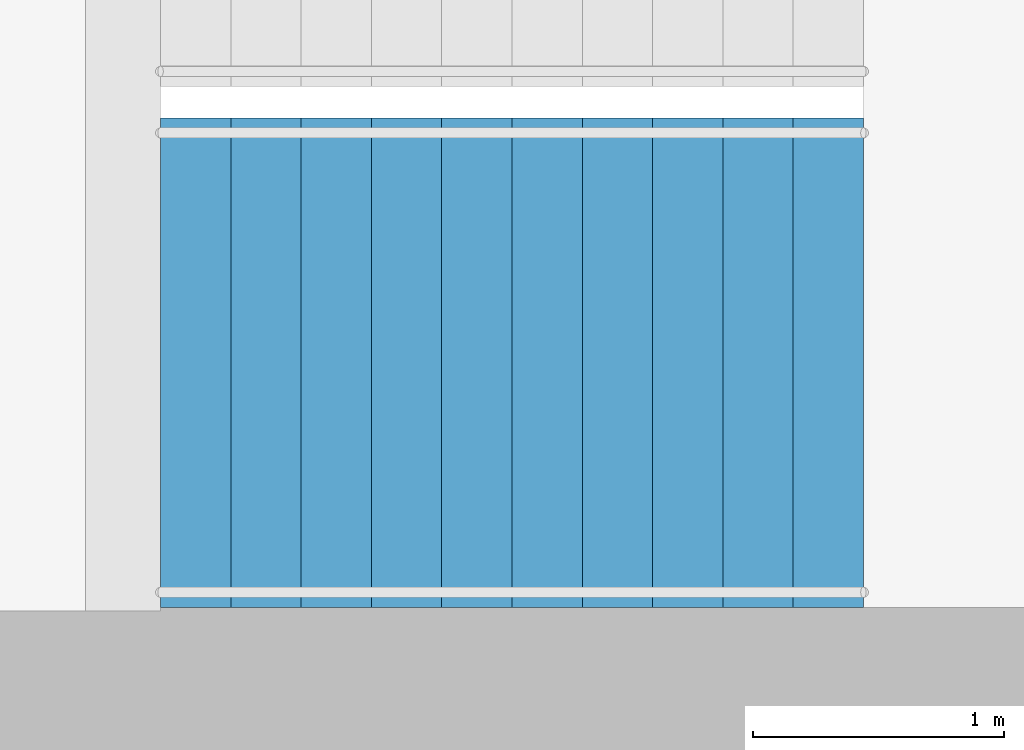
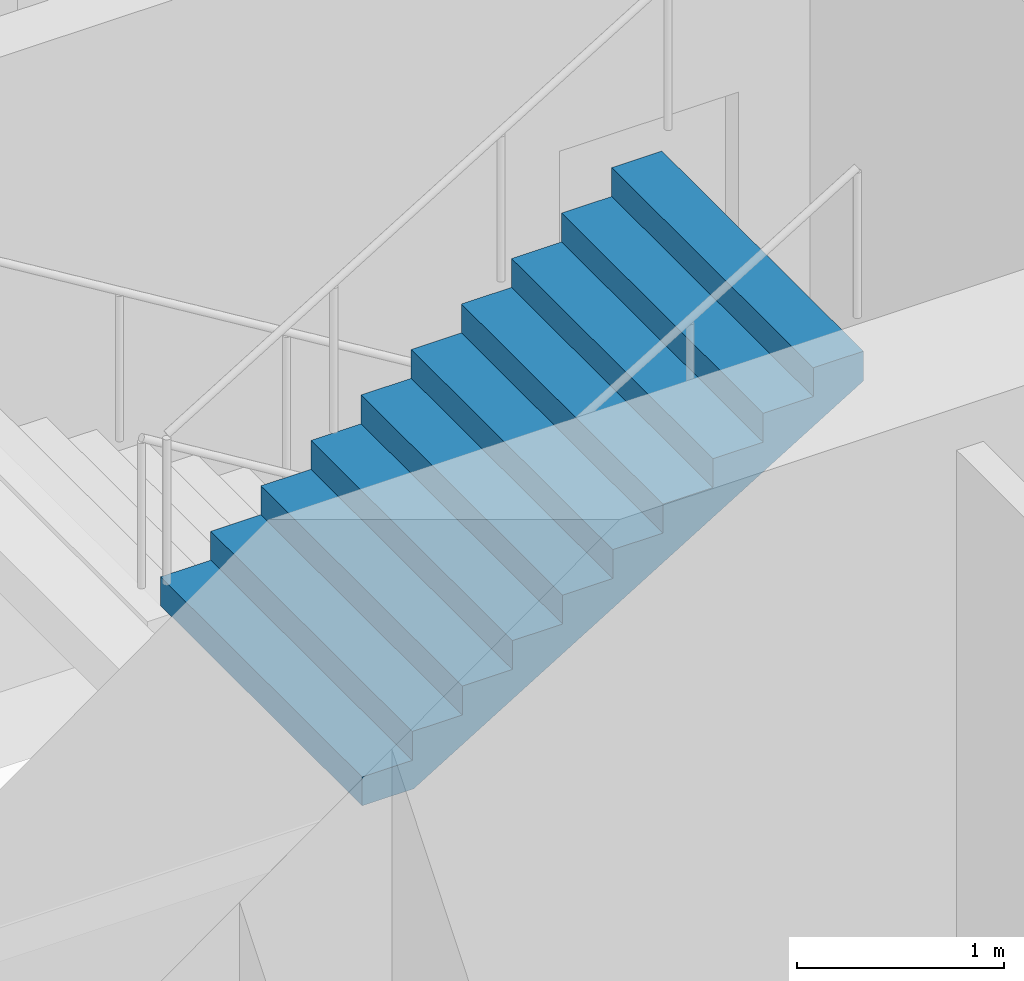
# One storey, part 25 of 27: 1 stair flight, 1 element without a shape of its own.
"""IFC4 building model written with IfcOpenShell, lengths in metres."""

from ifc_helpers import new_model, si_unit, direction, frame, origin, place, context, subcontext, project, spatial, triangles, material, type_object, element, aggregate, save


model = new_model("IFC4")

# Units and contexts
model_context = context("Model", 3, precision=1e-05, world=origin(), true_north=direction((0.0, 1.0)))
body_context = subcontext(model_context, "Body", "Model", "MODEL_VIEW")
ifc_project = project(units=[si_unit("LENGTHUNIT", "METRE"), si_unit("AREAUNIT", "SQUARE_METRE"), si_unit("VOLUMEUNIT", "CUBIC_METRE"), si_unit("PLANEANGLEUNIT", "RADIAN"), si_unit("MASSUNIT", "GRAM", prefix="KILO")], contexts=[model_context])

# Site, building, storey
site_placement = place(None, origin())
site = spatial("IfcSite", under=ifc_project, at=site_placement, CompositionType="ELEMENT")
building_placement = place(site_placement, origin())
building = spatial("IfcBuilding", under=site, at=building_placement, Name="Orbita Commons", CompositionType="ELEMENT")
storey_placement = place(building_placement, frame((0.0, 0.0, 178.60009765625)))
storey = spatial("IfcBuildingStorey", under=building, at=storey_placement, Name="L44", CompositionType="ELEMENT", Elevation=178.60009765625)

# Stair, stair flight
ifc_material_1 = material(Name="Precast concrete C40/50", Category="concrete")
stair_type = type_object("IfcStairType", Name="Exit stair S2 2 flights 11 risers 170", PredefinedType="HALF_TURN_STAIR", material=ifc_material_1)
stair_placement = place(storey_placement, origin())
stair = element("IfcStair", 1, at=stair_placement, inside=storey, type_object=stair_type, Name="Exit stair S2 L44", PredefinedType="HALF_TURN_STAIR")
ifc_material_2 = material(Name="Precast concrete C40/50", Category="concrete")
stair_flight_type = type_object("IfcStairFlightType", Name="Stair flight 11 risers 170 x 280", PredefinedType="STRAIGHT", material=ifc_material_2)
stair_flight_placement = place(storey_placement, frame((60.75, 27.199951171875, 1.875), z_axis=(0.0, 0.0, 1.0), x_axis=(1.0, 0.0, 0.0)))
stair_flight = element("IfcStairFlight", 2, at=stair_flight_placement, type_object=stair_flight_type, Name="S2 flight 2", NumberOfRisers=11, NumberOfTreads=10, PredefinedType="STRAIGHT", RiserHeight=0.170454545, TreadLength=0.28, context=body_context, shape_type="Tessellation", body=[
    triangles([(0.0, 0.974976, 0.0), (0.0, 0.974976, 0.021307), (0.0, 0.81248, 0.021307), (0.0, 0.81248, 0.0), (0.0, 0.649984, 0.021307), (0.0, 0.649984, 0.0), (0.0, 0.487488, 0.021307), (0.0, 0.487488, 0.0), (0.0, 0.324992, 0.021307), (0.0, 0.324992, 0.0), (0.0, 0.162496, 0.021307), (0.0, 0.162496, 0.0), (0.0, 0.0, 0.021307), (0.0, 0.0, 0.0), (0.0, -0.162496, 0.021307), (0.0, -0.162496, 0.0), (0.0, -0.324992, 0.021307), (0.0, -0.324992, 0.0), (0.0, -0.487488, 0.021307), (0.0, -0.487488, 0.0), (0.0, -0.649984, 0.021307), (0.0, -0.649984, 0.0), (0.0, -0.81248, 0.021307), (0.0, -0.81248, 0.0), (0.0, -0.974976, 0.021307), (0.0, -0.974976, 0.0), (0.0, 0.974976, 0.042614), (0.0, 0.81248, 0.042614), (0.0, 0.649984, 0.042614), (0.0, 0.487488, 0.042614), (0.0, 0.324992, 0.042614), (0.0, 0.162496, 0.042614), (0.0, 0.0, 0.042614), (0.0, -0.162496, 0.042614), (0.0, -0.324992, 0.042614), (0.0, -0.487488, 0.042614), (0.0, -0.649984, 0.042614), (0.0, -0.81248, 0.042614), (0.0, -0.974976, 0.042614), (0.0, 0.974976, 0.06392), (0.0, 0.81248, 0.06392), (0.0, 0.649984, 0.06392), (0.0, 0.487488, 0.06392), (0.0, 0.324992, 0.06392), (0.0, 0.162496, 0.06392), (0.0, 0.0, 0.06392), (0.0, -0.162496, 0.06392), (0.0, -0.324992, 0.06392), (0.0, -0.487488, 0.06392), (0.0, -0.649984, 0.06392), (0.0, -0.81248, 0.06392), (0.0, -0.974976, 0.06392), (0.0, 0.974976, 0.085227), (0.0, 0.81248, 0.085227), (0.0, 0.649984, 0.085227), (0.0, 0.487488, 0.085227), (0.0, 0.324992, 0.085227), (0.0, 0.162496, 0.085227), (0.0, 0.0, 0.085227), (0.0, -0.162496, 0.085227), (0.0, -0.324992, 0.085227), (0.0, -0.487488, 0.085227), (0.0, -0.649984, 0.085227), (0.0, -0.81248, 0.085227), (0.0, -0.974976, 0.085227), (0.0, 0.974976, 0.106534), (0.0, 0.81248, 0.106534), (0.0, 0.649984, 0.106534), (0.0, 0.487488, 0.106534), (0.0, 0.324992, 0.106534), (0.0, 0.162496, 0.106534), (0.0, 0.0, 0.106534), (0.0, -0.162496, 0.106534), (0.0, -0.324992, 0.106534), (0.0, -0.487488, 0.106534), (0.0, -0.649984, 0.106534), (0.0, -0.81248, 0.106534), (0.0, -0.974976, 0.106534), (0.0, 0.974976, 0.127841), (0.0, 0.81248, 0.127841), (0.0, 0.649984, 0.127841), (0.0, 0.487488, 0.127841), (0.0, 0.324992, 0.127841), (0.0, 0.162496, 0.127841), (0.0, 0.0, 0.127841), (0.0, -0.162496, 0.127841), (0.0, -0.324992, 0.127841), (0.0, -0.487488, 0.127841), (0.0, -0.649984, 0.127841), (0.0, -0.81248, 0.127841), (0.0, -0.974976, 0.127841), (0.0, 0.974976, 0.149148), (0.0, 0.81248, 0.149148), (0.0, 0.649984, 0.149148), (0.0, 0.487488, 0.149148), (0.0, 0.324992, 0.149148), (0.0, 0.162496, 0.149148), (0.0, 0.0, 0.149148), (0.0, -0.162496, 0.149148), (0.0, -0.324992, 0.149148), (0.0, -0.487488, 0.149148), (0.0, -0.649984, 0.149148), (0.0, -0.81248, 0.149148), (0.0, -0.974976, 0.149148), (0.0, 0.974976, 0.170455), (0.0, 0.81248, 0.170455), (0.0, 0.649984, 0.170455), (0.0, 0.487488, 0.170455), (0.0, 0.324992, 0.170455), (0.0, 0.162496, 0.170455), (0.0, 0.0, 0.170455), (0.0, -0.162496, 0.170455), (0.0, -0.324992, 0.170455), (0.0, -0.487488, 0.170455), (0.0, -0.649984, 0.170455), (0.0, -0.81248, 0.170455), (0.0, -0.974976, 0.170455), (0.28, 0.974976, 0.170455), (0.28, 0.81248, 0.170455), (0.28, 0.649984, 0.170455), (0.28, 0.487488, 0.170455), (0.28, 0.324992, 0.170455), (0.28, 0.162496, 0.170455), (0.28, 0.0, 0.170455), (0.28, -0.162496, 0.170455), (0.28, -0.324992, 0.170455), (0.28, -0.487488, 0.170455), (0.28, -0.649984, 0.170455), (0.28, -0.81248, 0.170455), (0.28, -0.974976, 0.170455), (0.28, 0.974976, 0.340909), (0.28, 0.81248, 0.340909), (0.28, 0.649984, 0.340909), (0.28, 0.487488, 0.340909), (0.28, 0.324992, 0.340909), (0.28, 0.162496, 0.340909), (0.28, 0.0, 0.340909), (0.28, -0.162496, 0.340909), (0.28, -0.324992, 0.340909), (0.28, -0.487488, 0.340909), (0.28, -0.649984, 0.340909), (0.28, -0.81248, 0.340909), (0.28, -0.974976, 0.340909), (0.56, 0.974976, 0.340909), (0.56, 0.81248, 0.340909), (0.56, 0.649984, 0.340909), (0.56, 0.487488, 0.340909), (0.56, 0.324992, 0.340909), (0.56, 0.162496, 0.340909), (0.56, 0.0, 0.340909), (0.56, -0.162496, 0.340909), (0.56, -0.324992, 0.340909), (0.56, -0.487488, 0.340909), (0.56, -0.649984, 0.340909), (0.56, -0.81248, 0.340909), (0.56, -0.974976, 0.340909), (0.56, 0.974976, 0.511364), (0.56, 0.81248, 0.511364), (0.56, 0.649984, 0.511364), (0.56, 0.487488, 0.511364), (0.56, 0.324992, 0.511364), (0.56, 0.162496, 0.511364), (0.56, 0.0, 0.511364), (0.56, -0.162496, 0.511364), (0.56, -0.324992, 0.511364), (0.56, -0.487488, 0.511364), (0.56, -0.649984, 0.511364), (0.56, -0.81248, 0.511364), (0.56, -0.974976, 0.511364), (0.84, 0.974976, 0.511364), (0.84, 0.81248, 0.511364), (0.84, 0.649984, 0.511364), (0.84, 0.487488, 0.511364), (0.84, 0.324992, 0.511364), (0.84, 0.162496, 0.511364), (0.84, 0.0, 0.511364), (0.84, -0.162496, 0.511364), (0.84, -0.324992, 0.511364), (0.84, -0.487488, 0.511364), (0.84, -0.649984, 0.511364), (0.84, -0.81248, 0.511364), (0.84, -0.974976, 0.511364), (0.84, 0.974976, 0.681818), (0.84, 0.81248, 0.681818), (0.84, 0.649984, 0.681818), (0.84, 0.487488, 0.681818), (0.84, 0.324992, 0.681818), (0.84, 0.162496, 0.681818), (0.84, 0.0, 0.681818), (0.84, -0.162496, 0.681818), (0.84, -0.324992, 0.681818), (0.84, -0.487488, 0.681818), (0.84, -0.649984, 0.681818), (0.84, -0.81248, 0.681818), (0.84, -0.974976, 0.681818), (1.12, 0.974976, 0.681818), (1.12, 0.81248, 0.681818), (1.12, 0.649984, 0.681818), (1.12, 0.487488, 0.681818), (1.12, 0.324992, 0.681818), (1.12, 0.162496, 0.681818), (1.12, 0.0, 0.681818), (1.12, -0.162496, 0.681818), (1.12, -0.324992, 0.681818), (1.12, -0.487488, 0.681818), (1.12, -0.649984, 0.681818), (1.12, -0.81248, 0.681818), (1.12, -0.974976, 0.681818), (1.12, 0.974976, 0.852273), (1.12, 0.81248, 0.852273), (1.12, 0.649984, 0.852273), (1.12, 0.487488, 0.852273), (1.12, 0.324992, 0.852273), (1.12, 0.162496, 0.852273), (1.12, 0.0, 0.852273), (1.12, -0.162496, 0.852273), (1.12, -0.324992, 0.852273), (1.12, -0.487488, 0.852273), (1.12, -0.649984, 0.852273), (1.12, -0.81248, 0.852273), (1.12, -0.974976, 0.852273), (1.4, 0.974976, 0.852273), (1.4, 0.81248, 0.852273), (1.4, 0.649984, 0.852273), (1.4, 0.487488, 0.852273), (1.4, 0.324992, 0.852273), (1.4, 0.162496, 0.852273), (1.4, 0.0, 0.852273), (1.4, -0.162496, 0.852273), (1.4, -0.324992, 0.852273), (1.4, -0.487488, 0.852273), (1.4, -0.649984, 0.852273), (1.4, -0.81248, 0.852273), (1.4, -0.974976, 0.852273), (1.4, 0.974976, 1.022727), (1.4, 0.81248, 1.022727), (1.4, 0.649984, 1.022727), (1.4, 0.487488, 1.022727), (1.4, 0.324992, 1.022727), (1.4, 0.162496, 1.022727), (1.4, 0.0, 1.022727), (1.4, -0.162496, 1.022727), (1.4, -0.324992, 1.022727), (1.4, -0.487488, 1.022727), (1.4, -0.649984, 1.022727), (1.4, -0.81248, 1.022727), (1.4, -0.974976, 1.022727), (1.68, 0.974976, 1.022727), (1.68, 0.81248, 1.022727), (1.68, 0.649984, 1.022727), (1.68, 0.487488, 1.022727), (1.68, 0.324992, 1.022727), (1.68, 0.162496, 1.022727), (1.68, 0.0, 1.022727), (1.68, -0.162496, 1.022727), (1.68, -0.324992, 1.022727), (1.68, -0.487488, 1.022727), (1.68, -0.649984, 1.022727), (1.68, -0.81248, 1.022727), (1.68, -0.974976, 1.022727), (1.68, 0.974976, 1.193182), (1.68, 0.81248, 1.193182), (1.68, 0.649984, 1.193182), (1.68, 0.487488, 1.193182), (1.68, 0.324992, 1.193182), (1.68, 0.162496, 1.193182), (1.68, 0.0, 1.193182), (1.68, -0.162496, 1.193182), (1.68, -0.324992, 1.193182), (1.68, -0.487488, 1.193182), (1.68, -0.649984, 1.193182), (1.68, -0.81248, 1.193182), (1.68, -0.974976, 1.193182), (1.96, 0.974976, 1.193182), (1.96, 0.81248, 1.193182), (1.96, 0.649984, 1.193182), (1.96, 0.487488, 1.193182), (1.96, 0.324992, 1.193182), (1.96, 0.162496, 1.193182), (1.96, 0.0, 1.193182), (1.96, -0.162496, 1.193182), (1.96, -0.324992, 1.193182), (1.96, -0.487488, 1.193182), (1.96, -0.649984, 1.193182), (1.96, -0.81248, 1.193182), (1.96, -0.974976, 1.193182), (1.96, 0.974976, 1.363636), (1.96, 0.81248, 1.363636), (1.96, 0.649984, 1.363636), (1.96, 0.487488, 1.363636), (1.96, 0.324992, 1.363636), (1.96, 0.162496, 1.363636), (1.96, 0.0, 1.363636), (1.96, -0.162496, 1.363636), (1.96, -0.324992, 1.363636), (1.96, -0.487488, 1.363636), (1.96, -0.649984, 1.363636), (1.96, -0.81248, 1.363636), (1.96, -0.974976, 1.363636), (2.24, 0.974976, 1.363636), (2.24, 0.81248, 1.363636), (2.24, 0.649984, 1.363636), (2.24, 0.487488, 1.363636), (2.24, 0.324992, 1.363636), (2.24, 0.162496, 1.363636), (2.24, 0.0, 1.363636), (2.24, -0.162496, 1.363636), (2.24, -0.324992, 1.363636), (2.24, -0.487488, 1.363636), (2.24, -0.649984, 1.363636), (2.24, -0.81248, 1.363636), (2.24, -0.974976, 1.363636), (2.24, 0.974976, 1.534091), (2.24, 0.81248, 1.534091), (2.24, 0.649984, 1.534091), (2.24, 0.487488, 1.534091), (2.24, 0.324992, 1.534091), (2.24, 0.162496, 1.534091), (2.24, 0.0, 1.534091), (2.24, -0.162496, 1.534091), (2.24, -0.324992, 1.534091), (2.24, -0.487488, 1.534091), (2.24, -0.649984, 1.534091), (2.24, -0.81248, 1.534091), (2.24, -0.974976, 1.534091), (2.52, 0.974976, 1.534091), (2.52, 0.81248, 1.534091), (2.52, 0.649984, 1.534091), (2.52, 0.487488, 1.534091), (2.52, 0.324992, 1.534091), (2.52, 0.162496, 1.534091), (2.52, 0.0, 1.534091), (2.52, -0.162496, 1.534091), (2.52, -0.324992, 1.534091), (2.52, -0.487488, 1.534091), (2.52, -0.649984, 1.534091), (2.52, -0.81248, 1.534091), (2.52, -0.974976, 1.534091), (2.52, 0.974976, 1.704545), (2.52, 0.81248, 1.704545), (2.52, 0.649984, 1.704545), (2.52, 0.487488, 1.704545), (2.52, 0.324992, 1.704545), (2.52, 0.162496, 1.704545), (2.52, 0.0, 1.704545), (2.52, -0.162496, 1.704545), (2.52, -0.324992, 1.704545), (2.52, -0.487488, 1.704545), (2.52, -0.649984, 1.704545), (2.52, -0.81248, 1.704545), (2.52, -0.974976, 1.704545), (2.8, 0.974976, 1.704545), (2.8, 0.81248, 1.704545), (2.8, 0.649984, 1.704545), (2.8, 0.487488, 1.704545), (2.8, 0.324992, 1.704545), (2.8, 0.162496, 1.704545), (2.8, 0.0, 1.704545), (2.8, -0.162496, 1.704545), (2.8, -0.324992, 1.704545), (2.8, -0.487488, 1.704545), (2.8, -0.649984, 1.704545), (2.8, -0.81248, 1.704545), (2.8, -0.974976, 1.704545), (2.8, 0.974976, 1.682609), (2.8, 0.81248, 1.682609), (2.8, 0.649984, 1.682609), (2.8, 0.487488, 1.682609), (2.8, 0.324992, 1.682609), (2.8, 0.162496, 1.682609), (2.8, 0.0, 1.682609), (2.8, -0.162496, 1.682609), (2.8, -0.324992, 1.682609), (2.8, -0.487488, 1.682609), (2.8, -0.649984, 1.682609), (2.8, -0.81248, 1.682609), (2.8, -0.974976, 1.682609), (2.8, 0.974976, 1.660672), (2.8, 0.81248, 1.660672), (2.8, 0.649984, 1.660672), (2.8, 0.487488, 1.660672), (2.8, 0.324992, 1.660672), (2.8, 0.162496, 1.660672), (2.8, 0.0, 1.660672), (2.8, -0.162496, 1.660672), (2.8, -0.324992, 1.660672), (2.8, -0.487488, 1.660672), (2.8, -0.649984, 1.660672), (2.8, -0.81248, 1.660672), (2.8, -0.974976, 1.660672), (2.8, 0.974976, 1.638735), (2.8, 0.81248, 1.638735), (2.8, 0.649984, 1.638735), (2.8, 0.487488, 1.638735), (2.8, 0.324992, 1.638735), (2.8, 0.162496, 1.638735), (2.8, 0.0, 1.638735), (2.8, -0.162496, 1.638735), (2.8, -0.324992, 1.638735), (2.8, -0.487488, 1.638735), (2.8, -0.649984, 1.638735), (2.8, -0.81248, 1.638735), (2.8, -0.974976, 1.638735), (2.8, 0.974976, 1.616798), (2.8, 0.81248, 1.616798), (2.8, 0.649984, 1.616798), (2.8, 0.487488, 1.616798), (2.8, 0.324992, 1.616798), (2.8, 0.162496, 1.616798), (2.8, 0.0, 1.616798), (2.8, -0.162496, 1.616798), (2.8, -0.324992, 1.616798), (2.8, -0.487488, 1.616798), (2.8, -0.649984, 1.616798), (2.8, -0.81248, 1.616798), (2.8, -0.974976, 1.616798), (2.8, 0.974976, 1.594861), (2.8, 0.81248, 1.594861), (2.8, 0.649984, 1.594861), (2.8, 0.487488, 1.594861), (2.8, 0.324992, 1.594861), (2.8, 0.162496, 1.594861), (2.8, 0.0, 1.594861), (2.8, -0.162496, 1.594861), (2.8, -0.324992, 1.594861), (2.8, -0.487488, 1.594861), (2.8, -0.649984, 1.594861), (2.8, -0.81248, 1.594861), (2.8, -0.974976, 1.594861), (2.8, 0.974976, 1.572925), (2.8, 0.81248, 1.572925), (2.8, 0.649984, 1.572925), (2.8, 0.487488, 1.572925), (2.8, 0.324992, 1.572925), (2.8, 0.162496, 1.572925), (2.8, 0.0, 1.572925), (2.8, -0.162496, 1.572925), (2.8, -0.324992, 1.572925), (2.8, -0.487488, 1.572925), (2.8, -0.649984, 1.572925), (2.8, -0.81248, 1.572925), (2.8, -0.974976, 1.572925), (2.8, 0.974976, 1.550988), (2.8, 0.81248, 1.550988), (2.8, 0.649984, 1.550988), (2.8, 0.487488, 1.550988), (2.8, 0.324992, 1.550988), (2.8, 0.162496, 1.550988), (2.8, 0.0, 1.550988), (2.8, -0.162496, 1.550988), (2.8, -0.324992, 1.550988), (2.8, -0.487488, 1.550988), (2.8, -0.649984, 1.550988), (2.8, -0.81248, 1.550988), (2.8, -0.974976, 1.550988), (2.8, 0.974976, 1.529051), (2.8, 0.81248, 1.529051), (2.8, 0.649984, 1.529051), (2.8, 0.487488, 1.529051), (2.8, 0.324992, 1.529051), (2.8, 0.162496, 1.529051), (2.8, 0.0, 1.529051), (2.8, -0.162496, 1.529051), (2.8, -0.324992, 1.529051), (2.8, -0.487488, 1.529051), (2.8, -0.649984, 1.529051), (2.8, -0.81248, 1.529051), (2.8, -0.974976, 1.529051), (0.288279, 0.974976, 0.0), (0.288279, 0.81248, 0.0), (0.288279, 0.649984, 0.0), (0.288279, 0.487488, 0.0), (0.288279, 0.324992, 0.0), (0.288279, 0.162496, 0.0), (0.288279, 0.0, 0.0), (0.288279, -0.162496, 0.0), (0.288279, -0.324992, 0.0), (0.288279, -0.487488, 0.0), (0.288279, -0.649984, 0.0), (0.288279, -0.81248, 0.0), (0.288279, -0.974976, 0.0)], [[3, 2, 1], [4, 3, 1], [5, 3, 4], [6, 5, 4], [7, 5, 6], [8, 7, 6], [9, 7, 8], [10, 9, 8], [11, 9, 10], [12, 11, 10], [13, 11, 12], [14, 13, 12], [15, 13, 14], [16, 15, 14], [17, 15, 16], [18, 17, 16], [19, 17, 18], [20, 19, 18], [21, 19, 20], [22, 21, 20], [23, 21, 22], [24, 23, 22], [25, 23, 24], [26, 25, 24], [28, 27, 2], [3, 28, 2], [29, 28, 3], [5, 29, 3], [30, 29, 5], [7, 30, 5], [31, 30, 7], [9, 31, 7], [32, 31, 9], [11, 32, 9], [33, 32, 11], [13, 33, 11], [34, 33, 13], [15, 34, 13], [35, 34, 15], [17, 35, 15], [36, 35, 17], [19, 36, 17], [37, 36, 19], [21, 37, 19], [38, 37, 21], [23, 38, 21], [39, 38, 23], [25, 39, 23], [41, 40, 27], [28, 41, 27], [42, 41, 28], [29, 42, 28], [43, 42, 29], [30, 43, 29], [44, 43, 30], [31, 44, 30], [45, 44, 31], [32, 45, 31], [46, 45, 32], [33, 46, 32], [47, 46, 33], [34, 47, 33], [48, 47, 34], [35, 48, 34], [49, 48, 35], [36, 49, 35], [50, 49, 36], [37, 50, 36], [51, 50, 37], [38, 51, 37], [52, 51, 38], [39, 52, 38], [54, 53, 40], [41, 54, 40], [55, 54, 41], [42, 55, 41], [56, 55, 42], [43, 56, 42], [57, 56, 43], [44, 57, 43], [58, 57, 44], [45, 58, 44], [59, 58, 45], [46, 59, 45], [60, 59, 46], [47, 60, 46], [61, 60, 47], [48, 61, 47], [62, 61, 48], [49, 62, 48], [63, 62, 49], [50, 63, 49], [64, 63, 50], [51, 64, 50], [65, 64, 51], [52, 65, 51], [67, 66, 53], [54, 67, 53], [68, 67, 54], [55, 68, 54], [69, 68, 55], [56, 69, 55], [70, 69, 56], [57, 70, 56], [71, 70, 57], [58, 71, 57], [72, 71, 58], [59, 72, 58], [73, 72, 59], [60, 73, 59], [74, 73, 60], [61, 74, 60], [75, 74, 61], [62, 75, 61], [76, 75, 62], [63, 76, 62], [77, 76, 63], [64, 77, 63], [78, 77, 64], [65, 78, 64], [80, 79, 66], [67, 80, 66], [81, 80, 67], [68, 81, 67], [82, 81, 68], [69, 82, 68], [83, 82, 69], [70, 83, 69], [84, 83, 70], [71, 84, 70], [85, 84, 71], [72, 85, 71], [86, 85, 72], [73, 86, 72], [87, 86, 73], [74, 87, 73], [88, 87, 74], [75, 88, 74], [89, 88, 75], [76, 89, 75], [90, 89, 76], [77, 90, 76], [91, 90, 77], [78, 91, 77], [93, 92, 79], [80, 93, 79], [94, 93, 80], [81, 94, 80], [95, 94, 81], [82, 95, 81], [96, 95, 82], [83, 96, 82], [97, 96, 83], [84, 97, 83], [98, 97, 84], [85, 98, 84], [99, 98, 85], [86, 99, 85], [100, 99, 86], [87, 100, 86], [101, 100, 87], [88, 101, 87], [102, 101, 88], [89, 102, 88], [103, 102, 89], [90, 103, 89], [104, 103, 90], [91, 104, 90], [106, 105, 92], [93, 106, 92], [107, 106, 93], [94, 107, 93], [108, 107, 94], [95, 108, 94], [109, 108, 95], [96, 109, 95], [110, 109, 96], [97, 110, 96], [111, 110, 97], [98, 111, 97], [112, 111, 98], [99, 112, 98], [113, 112, 99], [100, 113, 99], [114, 113, 100], [101, 114, 100], [115, 114, 101], [102, 115, 101], [116, 115, 102], [103, 116, 102], [117, 116, 103], [104, 117, 103], [119, 118, 105], [106, 119, 105], [120, 119, 106], [107, 120, 106], [121, 120, 107], [108, 121, 107], [122, 121, 108], [109, 122, 108], [123, 122, 109], [110, 123, 109], [124, 123, 110], [111, 124, 110], [125, 124, 111], [112, 125, 111], [126, 125, 112], [113, 126, 112], [127, 126, 113], [114, 127, 113], [128, 127, 114], [115, 128, 114], [129, 128, 115], [116, 129, 115], [130, 129, 116], [117, 130, 116], [132, 131, 118], [119, 132, 118], [133, 132, 119], [120, 133, 119], [134, 133, 120], [121, 134, 120], [135, 134, 121], [122, 135, 121], [136, 135, 122], [123, 136, 122], [137, 136, 123], [124, 137, 123], [138, 137, 124], [125, 138, 124], [139, 138, 125], [126, 139, 125], [140, 139, 126], [127, 140, 126], [141, 140, 127], [128, 141, 127], [142, 141, 128], [129, 142, 128], [143, 142, 129], [130, 143, 129], [145, 144, 131], [132, 145, 131], [146, 145, 132], [133, 146, 132], [147, 146, 133], [134, 147, 133], [148, 147, 134], [135, 148, 134], [149, 148, 135], [136, 149, 135], [150, 149, 136], [137, 150, 136], [151, 150, 137], [138, 151, 137], [152, 151, 138], [139, 152, 138], [153, 152, 139], [140, 153, 139], [154, 153, 140], [141, 154, 140], [155, 154, 141], [142, 155, 141], [156, 155, 142], [143, 156, 142], [158, 157, 144], [145, 158, 144], [159, 158, 145], [146, 159, 145], [160, 159, 146], [147, 160, 146], [161, 160, 147], [148, 161, 147], [162, 161, 148], [149, 162, 148], [163, 162, 149], [150, 163, 149], [164, 163, 150], [151, 164, 150], [165, 164, 151], [152, 165, 151], [166, 165, 152], [153, 166, 152], [167, 166, 153], [154, 167, 153], [168, 167, 154], [155, 168, 154], [169, 168, 155], [156, 169, 155], [171, 170, 157], [158, 171, 157], [172, 171, 158], [159, 172, 158], [173, 172, 159], [160, 173, 159], [174, 173, 160], [161, 174, 160], [175, 174, 161], [162, 175, 161], [176, 175, 162], [163, 176, 162], [177, 176, 163], [164, 177, 163], [178, 177, 164], [165, 178, 164], [179, 178, 165], [166, 179, 165], [180, 179, 166], [167, 180, 166], [181, 180, 167], [168, 181, 167], [182, 181, 168], [169, 182, 168], [184, 183, 170], [171, 184, 170], [185, 184, 171], [172, 185, 171], [186, 185, 172], [173, 186, 172], [187, 186, 173], [174, 187, 173], [188, 187, 174], [175, 188, 174], [189, 188, 175], [176, 189, 175], [190, 189, 176], [177, 190, 176], [191, 190, 177], [178, 191, 177], [192, 191, 178], [179, 192, 178], [193, 192, 179], [180, 193, 179], [194, 193, 180], [181, 194, 180], [195, 194, 181], [182, 195, 181], [197, 196, 183], [184, 197, 183], [198, 197, 184], [185, 198, 184], [199, 198, 185], [186, 199, 185], [200, 199, 186], [187, 200, 186], [201, 200, 187], [188, 201, 187], [202, 201, 188], [189, 202, 188], [203, 202, 189], [190, 203, 189], [204, 203, 190], [191, 204, 190], [205, 204, 191], [192, 205, 191], [206, 205, 192], [193, 206, 192], [207, 206, 193], [194, 207, 193], [208, 207, 194], [195, 208, 194], [210, 209, 196], [197, 210, 196], [211, 210, 197], [198, 211, 197], [212, 211, 198], [199, 212, 198], [213, 212, 199], [200, 213, 199], [214, 213, 200], [201, 214, 200], [215, 214, 201], [202, 215, 201], [216, 215, 202], [203, 216, 202], [217, 216, 203], [204, 217, 203], [218, 217, 204], [205, 218, 204], [219, 218, 205], [206, 219, 205], [220, 219, 206], [207, 220, 206], [221, 220, 207], [208, 221, 207], [223, 222, 209], [210, 223, 209], [224, 223, 210], [211, 224, 210], [225, 224, 211], [212, 225, 211], [226, 225, 212], [213, 226, 212], [227, 226, 213], [214, 227, 213], [228, 227, 214], [215, 228, 214], [229, 228, 215], [216, 229, 215], [230, 229, 216], [217, 230, 216], [231, 230, 217], [218, 231, 217], [232, 231, 218], [219, 232, 218], [233, 232, 219], [220, 233, 219], [234, 233, 220], [221, 234, 220], [236, 235, 222], [223, 236, 222], [237, 236, 223], [224, 237, 223], [238, 237, 224], [225, 238, 224], [239, 238, 225], [226, 239, 225], [240, 239, 226], [227, 240, 226], [241, 240, 227], [228, 241, 227], [242, 241, 228], [229, 242, 228], [243, 242, 229], [230, 243, 229], [244, 243, 230], [231, 244, 230], [245, 244, 231], [232, 245, 231], [246, 245, 232], [233, 246, 232], [247, 246, 233], [234, 247, 233], [249, 248, 235], [236, 249, 235], [250, 249, 236], [237, 250, 236], [251, 250, 237], [238, 251, 237], [252, 251, 238], [239, 252, 238], [253, 252, 239], [240, 253, 239], [254, 253, 240], [241, 254, 240], [255, 254, 241], [242, 255, 241], [256, 255, 242], [243, 256, 242], [257, 256, 243], [244, 257, 243], [258, 257, 244], [245, 258, 244], [259, 258, 245], [246, 259, 245], [260, 259, 246], [247, 260, 246], [262, 261, 248], [249, 262, 248], [263, 262, 249], [250, 263, 249], [264, 263, 250], [251, 264, 250], [265, 264, 251], [252, 265, 251], [266, 265, 252], [253, 266, 252], [267, 266, 253], [254, 267, 253], [268, 267, 254], [255, 268, 254], [269, 268, 255], [256, 269, 255], [270, 269, 256], [257, 270, 256], [271, 270, 257], [258, 271, 257], [272, 271, 258], [259, 272, 258], [273, 272, 259], [260, 273, 259], [275, 274, 261], [262, 275, 261], [276, 275, 262], [263, 276, 262], [277, 276, 263], [264, 277, 263], [278, 277, 264], [265, 278, 264], [279, 278, 265], [266, 279, 265], [280, 279, 266], [267, 280, 266], [281, 280, 267], [268, 281, 267], [282, 281, 268], [269, 282, 268], [283, 282, 269], [270, 283, 269], [284, 283, 270], [271, 284, 270], [285, 284, 271], [272, 285, 271], [286, 285, 272], [273, 286, 272], [288, 287, 274], [275, 288, 274], [289, 288, 275], [276, 289, 275], [290, 289, 276], [277, 290, 276], [291, 290, 277], [278, 291, 277], [292, 291, 278], [279, 292, 278], [293, 292, 279], [280, 293, 279], [294, 293, 280], [281, 294, 280], [295, 294, 281], [282, 295, 281], [296, 295, 282], [283, 296, 282], [297, 296, 283], [284, 297, 283], [298, 297, 284], [285, 298, 284], [299, 298, 285], [286, 299, 285], [301, 300, 287], [288, 301, 287], [302, 301, 288], [289, 302, 288], [303, 302, 289], [290, 303, 289], [304, 303, 290], [291, 304, 290], [305, 304, 291], [292, 305, 291], [306, 305, 292], [293, 306, 292], [307, 306, 293], [294, 307, 293], [308, 307, 294], [295, 308, 294], [309, 308, 295], [296, 309, 295], [310, 309, 296], [297, 310, 296], [311, 310, 297], [298, 311, 297], [312, 311, 298], [299, 312, 298], [314, 313, 300], [301, 314, 300], [315, 314, 301], [302, 315, 301], [316, 315, 302], [303, 316, 302], [317, 316, 303], [304, 317, 303], [318, 317, 304], [305, 318, 304], [319, 318, 305], [306, 319, 305], [320, 319, 306], [307, 320, 306], [321, 320, 307], [308, 321, 307], [322, 321, 308], [309, 322, 308], [323, 322, 309], [310, 323, 309], [324, 323, 310], [311, 324, 310], [325, 324, 311], [312, 325, 311], [327, 326, 313], [314, 327, 313], [328, 327, 314], [315, 328, 314], [329, 328, 315], [316, 329, 315], [330, 329, 316], [317, 330, 316], [331, 330, 317], [318, 331, 317], [332, 331, 318], [319, 332, 318], [333, 332, 319], [320, 333, 319], [334, 333, 320], [321, 334, 320], [335, 334, 321], [322, 335, 321], [336, 335, 322], [323, 336, 322], [337, 336, 323], [324, 337, 323], [338, 337, 324], [325, 338, 324], [340, 339, 326], [327, 340, 326], [341, 340, 327], [328, 341, 327], [342, 341, 328], [329, 342, 328], [343, 342, 329], [330, 343, 329], [344, 343, 330], [331, 344, 330], [345, 344, 331], [332, 345, 331], [346, 345, 332], [333, 346, 332], [347, 346, 333], [334, 347, 333], [348, 347, 334], [335, 348, 334], [349, 348, 335], [336, 349, 335], [350, 349, 336], [337, 350, 336], [351, 350, 337], [338, 351, 337], [353, 352, 339], [340, 353, 339], [354, 353, 340], [341, 354, 340], [355, 354, 341], [342, 355, 341], [356, 355, 342], [343, 356, 342], [357, 356, 343], [344, 357, 343], [358, 357, 344], [345, 358, 344], [359, 358, 345], [346, 359, 345], [360, 359, 346], [347, 360, 346], [361, 360, 347], [348, 361, 347], [362, 361, 348], [349, 362, 348], [363, 362, 349], [350, 363, 349], [364, 363, 350], [351, 364, 350], [366, 365, 352], [353, 366, 352], [367, 366, 353], [354, 367, 353], [368, 367, 354], [355, 368, 354], [369, 368, 355], [356, 369, 355], [370, 369, 356], [357, 370, 356], [371, 370, 357], [358, 371, 357], [372, 371, 358], [359, 372, 358], [373, 372, 359], [360, 373, 359], [374, 373, 360], [361, 374, 360], [375, 374, 361], [362, 375, 361], [376, 375, 362], [363, 376, 362], [377, 376, 363], [364, 377, 363], [379, 378, 365], [366, 379, 365], [380, 379, 366], [367, 380, 366], [381, 380, 367], [368, 381, 367], [382, 381, 368], [369, 382, 368], [383, 382, 369], [370, 383, 369], [384, 383, 370], [371, 384, 370], [385, 384, 371], [372, 385, 371], [386, 385, 372], [373, 386, 372], [387, 386, 373], [374, 387, 373], [388, 387, 374], [375, 388, 374], [389, 388, 375], [376, 389, 375], [390, 389, 376], [377, 390, 376], [392, 391, 378], [379, 392, 378], [393, 392, 379], [380, 393, 379], [394, 393, 380], [381, 394, 380], [395, 394, 381], [382, 395, 381], [396, 395, 382], [383, 396, 382], [397, 396, 383], [384, 397, 383], [398, 397, 384], [385, 398, 384], [399, 398, 385], [386, 399, 385], [400, 399, 386], [387, 400, 386], [401, 400, 387], [388, 401, 387], [402, 401, 388], [389, 402, 388], [403, 402, 389], [390, 403, 389], [405, 404, 391], [392, 405, 391], [406, 405, 392], [393, 406, 392], [407, 406, 393], [394, 407, 393], [408, 407, 394], [395, 408, 394], [409, 408, 395], [396, 409, 395], [410, 409, 396], [397, 410, 396], [411, 410, 397], [398, 411, 397], [412, 411, 398], [399, 412, 398], [413, 412, 399], [400, 413, 399], [414, 413, 400], [401, 414, 400], [415, 414, 401], [402, 415, 401], [416, 415, 402], [403, 416, 402], [418, 417, 404], [405, 418, 404], [419, 418, 405], [406, 419, 405], [420, 419, 406], [407, 420, 406], [421, 420, 407], [408, 421, 407], [422, 421, 408], [409, 422, 408], [423, 422, 409], [410, 423, 409], [424, 423, 410], [411, 424, 410], [425, 424, 411], [412, 425, 411], [426, 425, 412], [413, 426, 412], [427, 426, 413], [414, 427, 413], [428, 427, 414], [415, 428, 414], [429, 428, 415], [416, 429, 415], [431, 430, 417], [418, 431, 417], [432, 431, 418], [419, 432, 418], [433, 432, 419], [420, 433, 419], [434, 433, 420], [421, 434, 420], [435, 434, 421], [422, 435, 421], [436, 435, 422], [423, 436, 422], [437, 436, 423], [424, 437, 423], [438, 437, 424], [425, 438, 424], [439, 438, 425], [426, 439, 425], [440, 439, 426], [427, 440, 426], [441, 440, 427], [428, 441, 427], [442, 441, 428], [429, 442, 428], [444, 443, 430], [431, 444, 430], [445, 444, 431], [432, 445, 431], [446, 445, 432], [433, 446, 432], [447, 446, 433], [434, 447, 433], [448, 447, 434], [435, 448, 434], [449, 448, 435], [436, 449, 435], [450, 449, 436], [437, 450, 436], [451, 450, 437], [438, 451, 437], [452, 451, 438], [439, 452, 438], [453, 452, 439], [440, 453, 439], [454, 453, 440], [441, 454, 440], [455, 454, 441], [442, 455, 441], [457, 456, 443], [444, 457, 443], [458, 457, 444], [445, 458, 444], [459, 458, 445], [446, 459, 445], [460, 459, 446], [447, 460, 446], [461, 460, 447], [448, 461, 447], [462, 461, 448], [449, 462, 448], [463, 462, 449], [450, 463, 449], [464, 463, 450], [451, 464, 450], [465, 464, 451], [452, 465, 451], [466, 465, 452], [453, 466, 452], [467, 466, 453], [454, 467, 453], [468, 467, 454], [455, 468, 454], [470, 469, 456], [457, 470, 456], [471, 470, 457], [458, 471, 457], [472, 471, 458], [459, 472, 458], [473, 472, 459], [460, 473, 459], [474, 473, 460], [461, 474, 460], [475, 474, 461], [462, 475, 461], [476, 475, 462], [463, 476, 462], [477, 476, 463], [464, 477, 463], [478, 477, 464], [465, 478, 464], [479, 478, 465], [466, 479, 465], [480, 479, 466], [467, 480, 466], [481, 480, 467], [468, 481, 467], [4, 1, 469], [470, 4, 469], [6, 4, 470], [471, 6, 470], [8, 6, 471], [472, 8, 471], [10, 8, 472], [473, 10, 472], [12, 10, 473], [474, 12, 473], [14, 12, 474], [475, 14, 474], [16, 14, 475], [476, 16, 475], [18, 16, 476], [477, 18, 476], [20, 18, 477], [478, 20, 477], [22, 20, 478], [479, 22, 478], [24, 22, 479], [480, 24, 479], [26, 24, 480], [481, 26, 480], [456, 469, 1], [26, 481, 468], [443, 456, 1], [26, 468, 455], [430, 443, 1], [26, 455, 442], [417, 430, 1], [26, 442, 429], [404, 417, 1], [26, 429, 416], [391, 404, 1], [26, 416, 403], [378, 391, 1], [26, 403, 390], [365, 378, 1], [26, 390, 377], [339, 352, 365], [377, 364, 351], [326, 339, 365], [377, 351, 338], [300, 313, 326], [338, 325, 312], [300, 326, 365], [377, 338, 312], [274, 287, 300], [312, 299, 286], [274, 300, 365], [377, 312, 286], [248, 261, 274], [286, 273, 260], [248, 274, 365], [377, 286, 260], [222, 235, 248], [260, 247, 234], [222, 248, 365], [377, 260, 234], [196, 209, 222], [234, 221, 208], [196, 222, 365], [377, 234, 208], [170, 183, 196], [208, 195, 182], [170, 196, 365], [377, 208, 182], [144, 157, 170], [182, 169, 156], [144, 170, 365], [377, 182, 156], [118, 131, 144], [156, 143, 130], [118, 144, 365], [377, 156, 130], [118, 365, 1], [26, 377, 130], [92, 105, 118], [130, 117, 104], [79, 92, 118], [130, 104, 91], [66, 79, 118], [130, 91, 78], [53, 66, 118], [130, 78, 65], [40, 53, 118], [130, 65, 52], [27, 40, 118], [130, 52, 39], [2, 27, 118], [130, 39, 25], [1, 2, 118], [130, 25, 26]], closed=True),
])
aggregate(stair, [stair_flight])

save(model, "model.ifc")
